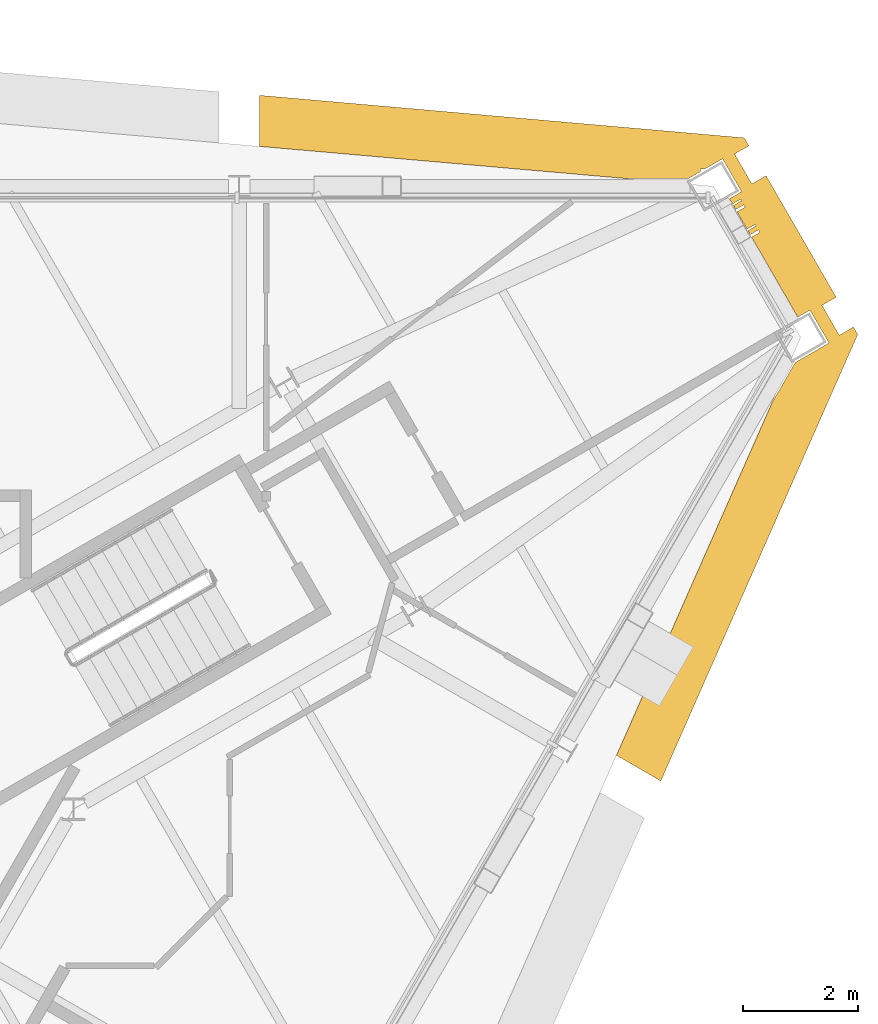
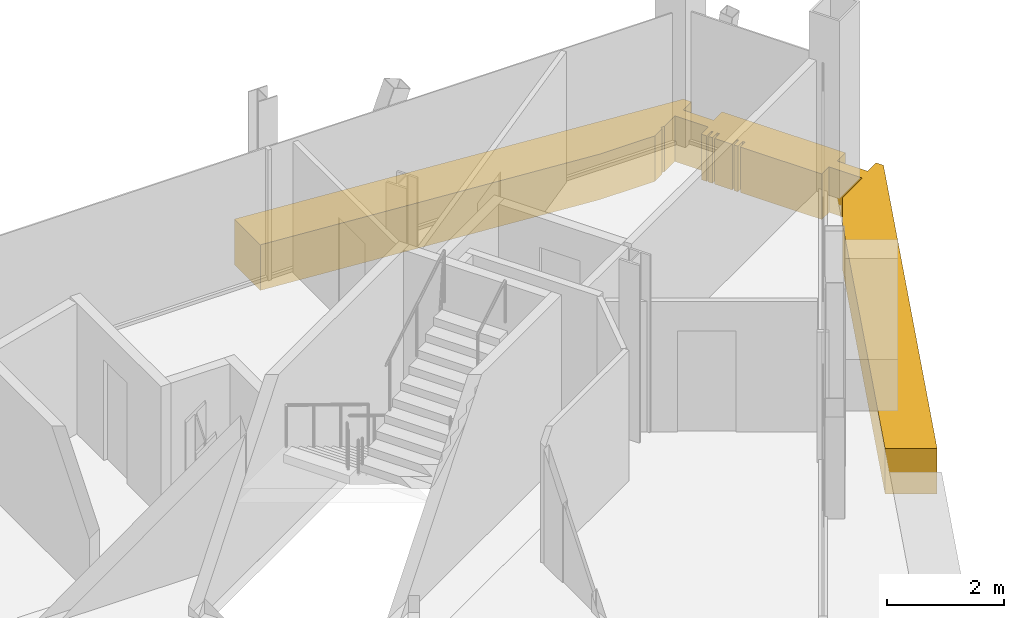
# One storey, part 13 of 13: 1 covering.
"""IFC4 building model written with IfcOpenShell, lengths in metres."""

from ifc_helpers import new_model, si_unit, direction, frame, origin, place, context, subcontext, project, spatial, polyline, outline, extrude, material, layer, layer_set, type_object, element, save


model = new_model("IFC4")

# Units and contexts
model_context = context("Model", 3, precision=1e-05, world=origin(), true_north=direction((0.0, 1.0)))
body_context = subcontext(model_context, "Body", "Model", "MODEL_VIEW")
ifc_project = project(units=[si_unit("LENGTHUNIT", "METRE"), si_unit("AREAUNIT", "SQUARE_METRE"), si_unit("VOLUMEUNIT", "CUBIC_METRE"), si_unit("PLANEANGLEUNIT", "RADIAN"), si_unit("MASSUNIT", "GRAM", prefix="KILO")], contexts=[model_context])

# Site, building, storey
site_placement = place(None, origin())
site = spatial("IfcSite", under=ifc_project, at=site_placement, CompositionType="ELEMENT")
building_placement = place(site_placement, origin())
building = spatial("IfcBuilding", under=site, at=building_placement, Name="Verrane Prism Tower", CompositionType="ELEMENT")
storey_placement = place(building_placement, frame((0.0, 0.0, 289.89990234375)))
storey = spatial("IfcBuildingStorey", under=building, at=storey_placement, Name="L73", CompositionType="ELEMENT", Elevation=289.89990234375)

# Covering
ifc_material = material(Name="Warm limestone cladding", Category="masonry")
ifc_layer = layer(ifc_material, 0.449951171875)
ifc_layer_set = layer_set([ifc_layer], Name="Stone spandrel band 450")
covering_type = type_object("IfcCoveringType", Name="Stone spandrel band 450", PredefinedType="CLADDING", material=ifc_layer_set)
covering_placement = place(storey_placement, frame((0.0, 0.0, -0.949951171875)))
element("IfcCovering", 1, at=covering_placement, inside=storey, type_object=covering_type, Name="Stone spandrel band L73 part 1", PredefinedType="CLADDING", context=body_context, shape_type="SweptSolid", body=[
    extrude(outline(polyline([(12.712646484375, 15.23046875), (12.712646484375, 14.34228515625), (19.084228515625, 13.783447265625), (20.1708984375, 13.783447265625), (20.38427734375, 13.906494140625), (20.38427734375, 13.949951171875), (20.459716796875, 13.949951171875), (20.76416015625, 14.125732421875), (21.093994140625, 13.55419921875), (20.8837890625, 13.432861328125), (20.93701171875, 13.3408203125), (21.077880859375, 13.42236328125), (21.0927734375, 13.39697265625), (20.95166015625, 13.315185546875), (20.9921875, 13.2451171875), (21.13330078125, 13.32666015625), (21.15673828125, 13.2861328125), (21.015625, 13.20458984375), (21.190185546875, 12.90234375), (21.331298828125, 12.984130859375), (21.34619140625, 12.95849609375), (21.204833984375, 12.876953125), (21.245361328125, 12.806640625), (21.38671875, 12.888427734375), (21.41015625, 12.847900390625), (21.268798828125, 12.76611328125), (22.07275390625, 11.373779296875), (22.2841796875, 11.495849609375), (22.614013671875, 10.92431640625), (22.027099609375, 10.585205078125), (21.625244140625, 9.889404296875), (18.920166015625, 3.755859375), (19.69091796875, 3.310791015625), (23.1142578125, 11.07275390625), (23.039794921875, 11.20166015625), (22.793212890625, 11.05908203125), (22.4931640625, 11.578857421875), (22.73974609375, 11.72119140625), (21.520751953125, 13.83251953125), (21.274169921875, 13.690185546875), (20.97412109375, 14.209716796875), (21.220703125, 14.352294921875), (21.140380859375, 14.4912109375), (12.712646484375, 15.23046875)])), origin(), (0.0, 0.0, 1.0), 0.949951171875),
])

save(model, "model.ifc")
